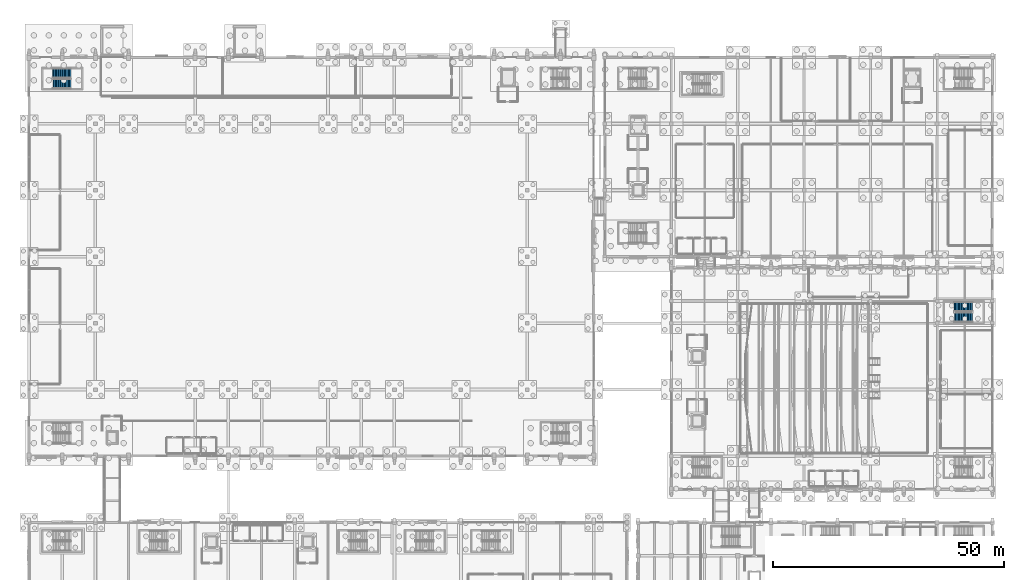
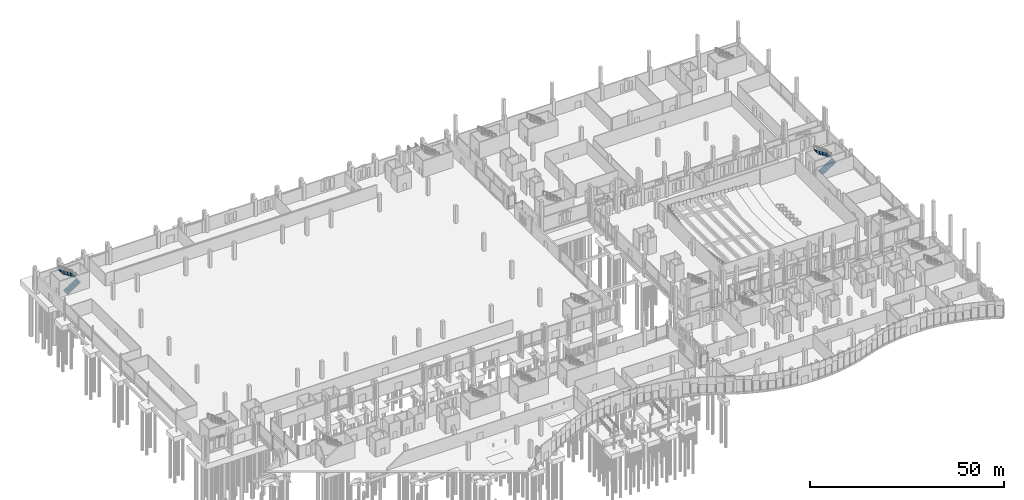
# One storey, part 166 of 192: 4 stair flights, 2 elements without a shape of their own.
"""IFC4 building model written with IfcOpenShell, lengths in metres."""

from ifc_helpers import new_model, si_unit, direction, frame, origin, place, context, subcontext, project, spatial, triangles, material, type_object, element, aggregate, save


model = new_model("IFC4")

# Units and contexts
model_context = context("Model", 3, precision=1e-05, world=origin(), true_north=direction((0.0, 1.0)))
body_context = subcontext(model_context, "Body", "Model", "MODEL_VIEW")
ifc_project = project(units=[si_unit("LENGTHUNIT", "METRE"), si_unit("AREAUNIT", "SQUARE_METRE"), si_unit("VOLUMEUNIT", "CUBIC_METRE"), si_unit("PLANEANGLEUNIT", "RADIAN"), si_unit("MASSUNIT", "GRAM", prefix="KILO")], contexts=[model_context])

# Site, building, storey
site_placement = place(None, origin())
site = spatial("IfcSite", under=ifc_project, at=site_placement, CompositionType="ELEMENT")
building_placement = place(site_placement, origin())
building = spatial("IfcBuilding", under=site, at=building_placement, Name="Cendralis Lancet Convention Centre", CompositionType="ELEMENT")
storey_placement = place(building_placement, origin())
storey = spatial("IfcBuildingStorey", under=building, at=storey_placement, Name="L00", CompositionType="ELEMENT", Elevation=0.0)

# Stair, stair flights
ifc_material = material(Name="Concrete G35 (C35/45)", Category="concrete")
stair_type = type_object("IfcStairType", Name="ARC-ST-CORE", PredefinedType="HALF_TURN_STAIR", material=ifc_material)
stair_1_placement = place(storey_placement, origin())
stair_1 = element("IfcStair", 1, at=stair_1_placement, inside=storey, type_object=stair_type, Name="L00 Protected Exit Stair ST-02", PredefinedType="HALF_TURN_STAIR")
stair_flight_type = type_object("IfcStairFlightType", Name="ARC-SF-CORE", PredefinedType="STRAIGHT", material=ifc_material)
stair_flight_1_placement = place(storey_placement, frame((5.14990234375, 131.050048828125, 0.0), z_axis=(0.0, 0.0, 1.0), x_axis=(1.0, 0.0, 0.0)))
stair_flight_1 = element("IfcStairFlight", 2, at=stair_flight_1_placement, type_object=stair_flight_type, Name="ST-02 flight 1", NumberOfRisers=15, NumberOfTreads=14, PredefinedType="STRAIGHT", RiserHeight=0.18, TreadLength=0.28, context=body_context, shape_type="Tessellation", body=[
    triangles([(0.0, 0.0, 0.09), (0.0, 1.050049, 0.0), (0.0, -1.050049, 0.0), (0.0, -1.050049, 0.18), (0.0, 1.050049, 0.18), (0.138604, 0.0, 0.18), (0.277208, -1.050049, 0.18), (0.277208, 1.050049, 0.18), (0.138604, 0.0, 0.0), (0.277208, -1.050049, 0.0), (0.277208, 1.050049, 0.0), (0.278604, 0.0, 0.18), (0.28, -1.050049, 0.18), (0.28, 1.050049, 0.18), (0.278604, 0.0, 0.000897), (0.28, -1.050049, 0.001795), (0.28, 1.050049, 0.001795), (0.28, 0.0, 0.27), (0.28, -1.050049, 0.36), (0.28, 1.050049, 0.36), (0.42, 0.0, 0.36), (0.56, -1.050049, 0.36), (0.56, 1.050049, 0.36), (0.42, 0.0, 0.091795), (0.56, -1.050049, 0.181795), (0.56, 1.050049, 0.181795), (0.56, 0.0, 0.45), (0.56, -1.050049, 0.54), (0.56, 1.050049, 0.54), (0.7, 0.0, 0.54), (0.84, -1.050049, 0.54), (0.84, 1.050049, 0.54), (0.7, 0.0, 0.271795), (0.84, -1.050049, 0.361795), (0.84, 1.050049, 0.361795), (0.84, 0.0, 0.63), (0.84, -1.050049, 0.72), (0.84, 1.050049, 0.72), (0.98, 0.0, 0.72), (1.12, -1.050049, 0.72), (1.12, 1.050049, 0.72), (0.98, 0.0, 0.451795), (1.12, -1.050049, 0.541795), (1.12, 1.050049, 0.541795), (1.12, 0.0, 0.81), (1.12, -1.050049, 0.9), (1.12, 1.050049, 0.9), (1.26, 0.0, 0.9), (1.4, -1.050049, 0.9), (1.4, 1.050049, 0.9), (1.26, 0.0, 0.631795), (1.4, -1.050049, 0.721795), (1.4, 1.050049, 0.721795), (1.4, 0.0, 0.99), (1.4, -1.050049, 1.08), (1.4, 1.050049, 1.08), (1.54, 0.0, 1.08), (1.68, -1.050049, 1.08), (1.68, 1.050049, 1.08), (1.54, 0.0, 0.811795), (1.68, -1.050049, 0.901795), (1.68, 1.050049, 0.901795), (1.68, 0.0, 1.17), (1.68, -1.050049, 1.26), (1.68, 1.050049, 1.26), (1.82, 0.0, 1.26), (1.96, -1.050049, 1.26), (1.96, 1.050049, 1.26), (1.82, 0.0, 0.991795), (1.96, -1.050049, 1.081795), (1.96, 1.050049, 1.081795), (1.96, 0.0, 1.35), (1.96, -1.050049, 1.44), (1.96, 1.050049, 1.44), (2.1, 0.0, 1.44), (2.24, -1.050049, 1.44), (2.24, 1.050049, 1.44), (2.1, 0.0, 1.171795), (2.24, -1.050049, 1.261795), (2.24, 1.050049, 1.261795), (2.24, 0.0, 1.53), (2.24, -1.050049, 1.62), (2.24, 1.050049, 1.62), (2.38, 0.0, 1.62), (2.52, -1.050049, 1.62), (2.52, 1.050049, 1.62), (2.38, 0.0, 1.351795), (2.52, -1.050049, 1.441795), (2.52, 1.050049, 1.441795), (2.52, 0.0, 1.71), (2.52, -1.050049, 1.8), (2.52, 1.050049, 1.8), (2.66, 0.0, 1.8), (2.8, -1.050049, 1.8), (2.8, 1.050049, 1.8), (2.66, 0.0, 1.531795), (2.8, -1.050049, 1.621795), (2.8, 1.050049, 1.621795), (2.8, 0.0, 1.89), (2.8, -1.050049, 1.98), (2.8, 1.050049, 1.98), (2.94, 0.0, 1.98), (3.08, -1.050049, 1.98), (3.08, 1.050049, 1.98), (2.94, 0.0, 1.711795), (3.08, -1.050049, 1.801795), (3.08, 1.050049, 1.801795), (3.08, 0.0, 2.07), (3.08, -1.050049, 2.16), (3.08, 1.050049, 2.16), (3.22, 0.0, 2.16), (3.36, -1.050049, 2.16), (3.36, 1.050049, 2.16), (3.22, 0.0, 1.891795), (3.36, -1.050049, 1.981795), (3.36, 1.050049, 1.981795), (3.36, 0.0, 2.25), (3.36, -1.050049, 2.34), (3.36, 1.050049, 2.34), (3.5, 0.0, 2.34), (3.64, -1.050049, 2.34), (3.64, 1.050049, 2.34), (3.5, 0.0, 2.071795), (3.64, -1.050049, 2.161795), (3.64, 1.050049, 2.161795), (3.64, 0.0, 2.43), (3.64, -1.050049, 2.52), (3.64, 1.050049, 2.52), (3.78, 0.0, 2.52), (3.92, -1.050049, 2.52), (3.92, 1.050049, 2.52), (3.78, 0.0, 2.251795), (3.92, -1.050049, 2.341795), (3.92, 1.050049, 2.341795), (3.92, 0.0, 2.61), (3.92, -1.050049, 2.7), (3.92, 1.050049, 2.7), (3.94, 0.0, 2.7), (3.96, -1.050049, 2.7), (3.96, 1.050049, 2.7), (3.94, 0.0, 2.341795), (3.96, -1.050049, 2.341795), (3.96, 1.050049, 2.341795), (3.96, 0.0, 2.520898)], [[2, 3, 1], [3, 4, 1], [4, 5, 1], [5, 2, 1], [4, 7, 6], [7, 8, 6], [8, 5, 6], [5, 4, 6], [10, 3, 9], [3, 2, 9], [2, 11, 9], [11, 10, 9], [3, 10, 7], [3, 7, 4], [2, 8, 11], [2, 5, 8], [7, 13, 12], [13, 14, 12], [14, 8, 12], [8, 7, 12], [16, 10, 15], [10, 11, 15], [11, 17, 15], [17, 16, 15], [10, 16, 13], [10, 13, 7], [11, 14, 17], [11, 8, 14], [14, 13, 18], [13, 19, 18], [19, 20, 18], [20, 14, 18], [19, 22, 21], [22, 23, 21], [23, 20, 21], [20, 19, 21], [25, 16, 24], [16, 17, 24], [17, 26, 24], [26, 25, 24], [16, 25, 22], [16, 22, 13], [13, 22, 19], [17, 23, 26], [17, 14, 23], [14, 20, 23], [23, 22, 27], [22, 28, 27], [28, 29, 27], [29, 23, 27], [28, 31, 30], [31, 32, 30], [32, 29, 30], [29, 28, 30], [34, 25, 33], [25, 26, 33], [26, 35, 33], [35, 34, 33], [25, 34, 31], [25, 31, 22], [22, 31, 28], [26, 32, 35], [26, 23, 32], [23, 29, 32], [32, 31, 36], [31, 37, 36], [37, 38, 36], [38, 32, 36], [37, 40, 39], [40, 41, 39], [41, 38, 39], [38, 37, 39], [43, 34, 42], [34, 35, 42], [35, 44, 42], [44, 43, 42], [34, 43, 40], [34, 40, 31], [31, 40, 37], [35, 41, 44], [35, 32, 41], [32, 38, 41], [41, 40, 45], [40, 46, 45], [46, 47, 45], [47, 41, 45], [46, 49, 48], [49, 50, 48], [50, 47, 48], [47, 46, 48], [52, 43, 51], [43, 44, 51], [44, 53, 51], [53, 52, 51], [43, 52, 49], [43, 49, 40], [40, 49, 46], [44, 50, 53], [44, 41, 50], [41, 47, 50], [50, 49, 54], [49, 55, 54], [55, 56, 54], [56, 50, 54], [55, 58, 57], [58, 59, 57], [59, 56, 57], [56, 55, 57], [61, 52, 60], [52, 53, 60], [53, 62, 60], [62, 61, 60], [52, 61, 58], [52, 58, 49], [49, 58, 55], [53, 59, 62], [53, 50, 59], [50, 56, 59], [59, 58, 63], [58, 64, 63], [64, 65, 63], [65, 59, 63], [64, 67, 66], [67, 68, 66], [68, 65, 66], [65, 64, 66], [70, 61, 69], [61, 62, 69], [62, 71, 69], [71, 70, 69], [61, 70, 67], [61, 67, 58], [58, 67, 64], [62, 68, 71], [62, 59, 68], [59, 65, 68], [68, 67, 72], [67, 73, 72], [73, 74, 72], [74, 68, 72], [73, 76, 75], [76, 77, 75], [77, 74, 75], [74, 73, 75], [79, 70, 78], [70, 71, 78], [71, 80, 78], [80, 79, 78], [70, 79, 76], [70, 76, 67], [67, 76, 73], [71, 77, 80], [71, 68, 77], [68, 74, 77], [77, 76, 81], [76, 82, 81], [82, 83, 81], [83, 77, 81], [82, 85, 84], [85, 86, 84], [86, 83, 84], [83, 82, 84], [88, 79, 87], [79, 80, 87], [80, 89, 87], [89, 88, 87], [79, 88, 85], [79, 85, 76], [76, 85, 82], [80, 86, 89], [80, 77, 86], [77, 83, 86], [86, 85, 90], [85, 91, 90], [91, 92, 90], [92, 86, 90], [91, 94, 93], [94, 95, 93], [95, 92, 93], [92, 91, 93], [97, 88, 96], [88, 89, 96], [89, 98, 96], [98, 97, 96], [88, 97, 94], [88, 94, 85], [85, 94, 91], [89, 95, 98], [89, 86, 95], [86, 92, 95], [95, 94, 99], [94, 100, 99], [100, 101, 99], [101, 95, 99], [100, 103, 102], [103, 104, 102], [104, 101, 102], [101, 100, 102], [106, 97, 105], [97, 98, 105], [98, 107, 105], [107, 106, 105], [97, 106, 103], [97, 103, 94], [94, 103, 100], [98, 104, 107], [98, 95, 104], [95, 101, 104], [104, 103, 108], [103, 109, 108], [109, 110, 108], [110, 104, 108], [109, 112, 111], [112, 113, 111], [113, 110, 111], [110, 109, 111], [115, 106, 114], [106, 107, 114], [107, 116, 114], [116, 115, 114], [106, 115, 112], [106, 112, 103], [103, 112, 109], [107, 113, 116], [107, 104, 113], [104, 110, 113], [113, 112, 117], [112, 118, 117], [118, 119, 117], [119, 113, 117], [118, 121, 120], [121, 122, 120], [122, 119, 120], [119, 118, 120], [124, 115, 123], [115, 116, 123], [116, 125, 123], [125, 124, 123], [115, 124, 121], [115, 121, 112], [112, 121, 118], [116, 122, 125], [116, 113, 122], [113, 119, 122], [122, 121, 126], [121, 127, 126], [127, 128, 126], [128, 122, 126], [127, 130, 129], [130, 131, 129], [131, 128, 129], [128, 127, 129], [133, 124, 132], [124, 125, 132], [125, 134, 132], [134, 133, 132], [124, 133, 130], [124, 130, 121], [121, 130, 127], [125, 131, 134], [125, 122, 131], [122, 128, 131], [131, 130, 135], [130, 136, 135], [136, 137, 135], [137, 131, 135], [136, 139, 138], [139, 140, 138], [140, 137, 138], [137, 136, 138], [142, 133, 141], [133, 134, 141], [134, 143, 141], [143, 142, 141], [133, 142, 139], [133, 139, 130], [130, 139, 136], [134, 140, 143], [134, 131, 140], [131, 137, 140], [142, 143, 144], [143, 140, 144], [140, 139, 144], [139, 142, 144]], closed=True),
])
stair_flight_2_placement = place(storey_placement, frame((9.070068359375, 133.330078125, 2.699951171875), z_axis=(0.0, 0.0, 1.0), x_axis=(-1.0, 0.0, 0.0)))
stair_flight_2 = element("IfcStairFlight", 3, at=stair_flight_2_placement, type_object=stair_flight_type, Name="ST-02 flight 2", NumberOfRisers=15, NumberOfTreads=14, PredefinedType="STRAIGHT", RiserHeight=0.18, TreadLength=0.28, context=body_context, shape_type="Tessellation", body=[
    triangles([(0.0, 0.0, 0.09), (0.0, 1.050049, 0.0), (0.0, -1.050049, 0.0), (0.0, -1.050049, 0.18), (0.0, 1.050049, 0.18), (0.138604, 0.0, 0.18), (0.277208, -1.050049, 0.18), (0.277208, 1.050049, 0.18), (0.138604, 0.0, 0.0), (0.277208, -1.050049, 0.0), (0.277208, 1.050049, 0.0), (0.278604, 0.0, 0.18), (0.28, -1.050049, 0.18), (0.28, 1.050049, 0.18), (0.278604, 0.0, 0.000897), (0.28, -1.050049, 0.001795), (0.28, 1.050049, 0.001795), (0.28, 0.0, 0.27), (0.28, -1.050049, 0.36), (0.28, 1.050049, 0.36), (0.42, 0.0, 0.36), (0.56, -1.050049, 0.36), (0.56, 1.050049, 0.36), (0.42, 0.0, 0.091795), (0.56, -1.050049, 0.181795), (0.56, 1.050049, 0.181795), (0.56, 0.0, 0.45), (0.56, -1.050049, 0.54), (0.56, 1.050049, 0.54), (0.7, 0.0, 0.54), (0.84, -1.050049, 0.54), (0.84, 1.050049, 0.54), (0.7, 0.0, 0.271795), (0.84, -1.050049, 0.361795), (0.84, 1.050049, 0.361795), (0.84, 0.0, 0.63), (0.84, -1.050049, 0.72), (0.84, 1.050049, 0.72), (0.98, 0.0, 0.72), (1.12, -1.050049, 0.72), (1.12, 1.050049, 0.72), (0.98, 0.0, 0.451795), (1.12, -1.050049, 0.541795), (1.12, 1.050049, 0.541795), (1.12, 0.0, 0.81), (1.12, -1.050049, 0.9), (1.12, 1.050049, 0.9), (1.26, 0.0, 0.9), (1.4, -1.050049, 0.9), (1.4, 1.050049, 0.9), (1.26, 0.0, 0.631795), (1.4, -1.050049, 0.721795), (1.4, 1.050049, 0.721795), (1.4, 0.0, 0.99), (1.4, -1.050049, 1.08), (1.4, 1.050049, 1.08), (1.54, 0.0, 1.08), (1.68, -1.050049, 1.08), (1.68, 1.050049, 1.08), (1.54, 0.0, 0.811795), (1.68, -1.050049, 0.901795), (1.68, 1.050049, 0.901795), (1.68, 0.0, 1.17), (1.68, -1.050049, 1.26), (1.68, 1.050049, 1.26), (1.82, 0.0, 1.26), (1.96, -1.050049, 1.26), (1.96, 1.050049, 1.26), (1.82, 0.0, 0.991795), (1.96, -1.050049, 1.081795), (1.96, 1.050049, 1.081795), (1.96, 0.0, 1.35), (1.96, -1.050049, 1.44), (1.96, 1.050049, 1.44), (2.1, 0.0, 1.44), (2.24, -1.050049, 1.44), (2.24, 1.050049, 1.44), (2.1, 0.0, 1.171795), (2.24, -1.050049, 1.261795), (2.24, 1.050049, 1.261795), (2.24, 0.0, 1.53), (2.24, -1.050049, 1.62), (2.24, 1.050049, 1.62), (2.38, 0.0, 1.62), (2.52, -1.050049, 1.62), (2.52, 1.050049, 1.62), (2.38, 0.0, 1.351795), (2.52, -1.050049, 1.441795), (2.52, 1.050049, 1.441795), (2.52, 0.0, 1.71), (2.52, -1.050049, 1.8), (2.52, 1.050049, 1.8), (2.66, 0.0, 1.8), (2.8, -1.050049, 1.8), (2.8, 1.050049, 1.8), (2.66, 0.0, 1.531795), (2.8, -1.050049, 1.621795), (2.8, 1.050049, 1.621795), (2.8, 0.0, 1.89), (2.8, -1.050049, 1.98), (2.8, 1.050049, 1.98), (2.94, 0.0, 1.98), (3.08, -1.050049, 1.98), (3.08, 1.050049, 1.98), (2.94, 0.0, 1.711795), (3.08, -1.050049, 1.801795), (3.08, 1.050049, 1.801795), (3.08, 0.0, 2.07), (3.08, -1.050049, 2.16), (3.08, 1.050049, 2.16), (3.22, 0.0, 2.16), (3.36, -1.050049, 2.16), (3.36, 1.050049, 2.16), (3.22, 0.0, 1.891795), (3.36, -1.050049, 1.981795), (3.36, 1.050049, 1.981795), (3.36, 0.0, 2.25), (3.36, -1.050049, 2.34), (3.36, 1.050049, 2.34), (3.5, 0.0, 2.34), (3.64, -1.050049, 2.34), (3.64, 1.050049, 2.34), (3.5, 0.0, 2.071795), (3.64, -1.050049, 2.161795), (3.64, 1.050049, 2.161795), (3.64, 0.0, 2.43), (3.64, -1.050049, 2.52), (3.64, 1.050049, 2.52), (3.78, 0.0, 2.52), (3.92, -1.050049, 2.52), (3.92, 1.050049, 2.52), (3.78, 0.0, 2.251795), (3.92, -1.050049, 2.341795), (3.92, 1.050049, 2.341795), (3.92, 0.0, 2.61), (3.92, -1.050049, 2.7), (3.92, 1.050049, 2.7), (3.94, 0.0, 2.7), (3.96, -1.050049, 2.7), (3.96, 1.050049, 2.7), (3.94, 0.0, 2.341795), (3.96, -1.050049, 2.341795), (3.96, 1.050049, 2.341795), (3.96, 0.0, 2.520898)], [[2, 3, 1], [3, 4, 1], [4, 5, 1], [5, 2, 1], [4, 7, 6], [7, 8, 6], [8, 5, 6], [5, 4, 6], [10, 3, 9], [3, 2, 9], [2, 11, 9], [11, 10, 9], [3, 10, 7], [3, 7, 4], [2, 8, 11], [2, 5, 8], [7, 13, 12], [13, 14, 12], [14, 8, 12], [8, 7, 12], [16, 10, 15], [10, 11, 15], [11, 17, 15], [17, 16, 15], [10, 16, 13], [10, 13, 7], [11, 14, 17], [11, 8, 14], [14, 13, 18], [13, 19, 18], [19, 20, 18], [20, 14, 18], [19, 22, 21], [22, 23, 21], [23, 20, 21], [20, 19, 21], [25, 16, 24], [16, 17, 24], [17, 26, 24], [26, 25, 24], [16, 25, 22], [16, 22, 13], [13, 22, 19], [17, 23, 26], [17, 14, 23], [14, 20, 23], [23, 22, 27], [22, 28, 27], [28, 29, 27], [29, 23, 27], [28, 31, 30], [31, 32, 30], [32, 29, 30], [29, 28, 30], [34, 25, 33], [25, 26, 33], [26, 35, 33], [35, 34, 33], [25, 34, 31], [25, 31, 22], [22, 31, 28], [26, 32, 35], [26, 23, 32], [23, 29, 32], [32, 31, 36], [31, 37, 36], [37, 38, 36], [38, 32, 36], [37, 40, 39], [40, 41, 39], [41, 38, 39], [38, 37, 39], [43, 34, 42], [34, 35, 42], [35, 44, 42], [44, 43, 42], [34, 43, 40], [34, 40, 31], [31, 40, 37], [35, 41, 44], [35, 32, 41], [32, 38, 41], [41, 40, 45], [40, 46, 45], [46, 47, 45], [47, 41, 45], [46, 49, 48], [49, 50, 48], [50, 47, 48], [47, 46, 48], [52, 43, 51], [43, 44, 51], [44, 53, 51], [53, 52, 51], [43, 52, 49], [43, 49, 40], [40, 49, 46], [44, 50, 53], [44, 41, 50], [41, 47, 50], [50, 49, 54], [49, 55, 54], [55, 56, 54], [56, 50, 54], [55, 58, 57], [58, 59, 57], [59, 56, 57], [56, 55, 57], [61, 52, 60], [52, 53, 60], [53, 62, 60], [62, 61, 60], [52, 61, 58], [52, 58, 49], [49, 58, 55], [53, 59, 62], [53, 50, 59], [50, 56, 59], [59, 58, 63], [58, 64, 63], [64, 65, 63], [65, 59, 63], [64, 67, 66], [67, 68, 66], [68, 65, 66], [65, 64, 66], [70, 61, 69], [61, 62, 69], [62, 71, 69], [71, 70, 69], [61, 70, 67], [61, 67, 58], [58, 67, 64], [62, 68, 71], [62, 59, 68], [59, 65, 68], [68, 67, 72], [67, 73, 72], [73, 74, 72], [74, 68, 72], [73, 76, 75], [76, 77, 75], [77, 74, 75], [74, 73, 75], [79, 70, 78], [70, 71, 78], [71, 80, 78], [80, 79, 78], [70, 79, 76], [70, 76, 67], [67, 76, 73], [71, 77, 80], [71, 68, 77], [68, 74, 77], [77, 76, 81], [76, 82, 81], [82, 83, 81], [83, 77, 81], [82, 85, 84], [85, 86, 84], [86, 83, 84], [83, 82, 84], [88, 79, 87], [79, 80, 87], [80, 89, 87], [89, 88, 87], [79, 88, 85], [79, 85, 76], [76, 85, 82], [80, 86, 89], [80, 77, 86], [77, 83, 86], [86, 85, 90], [85, 91, 90], [91, 92, 90], [92, 86, 90], [91, 94, 93], [94, 95, 93], [95, 92, 93], [92, 91, 93], [97, 88, 96], [88, 89, 96], [89, 98, 96], [98, 97, 96], [88, 97, 94], [88, 94, 85], [85, 94, 91], [89, 95, 98], [89, 86, 95], [86, 92, 95], [95, 94, 99], [94, 100, 99], [100, 101, 99], [101, 95, 99], [100, 103, 102], [103, 104, 102], [104, 101, 102], [101, 100, 102], [106, 97, 105], [97, 98, 105], [98, 107, 105], [107, 106, 105], [97, 106, 103], [97, 103, 94], [94, 103, 100], [98, 104, 107], [98, 95, 104], [95, 101, 104], [104, 103, 108], [103, 109, 108], [109, 110, 108], [110, 104, 108], [109, 112, 111], [112, 113, 111], [113, 110, 111], [110, 109, 111], [115, 106, 114], [106, 107, 114], [107, 116, 114], [116, 115, 114], [106, 115, 112], [106, 112, 103], [103, 112, 109], [107, 113, 116], [107, 104, 113], [104, 110, 113], [113, 112, 117], [112, 118, 117], [118, 119, 117], [119, 113, 117], [118, 121, 120], [121, 122, 120], [122, 119, 120], [119, 118, 120], [124, 115, 123], [115, 116, 123], [116, 125, 123], [125, 124, 123], [115, 124, 121], [115, 121, 112], [112, 121, 118], [116, 122, 125], [116, 113, 122], [113, 119, 122], [122, 121, 126], [121, 127, 126], [127, 128, 126], [128, 122, 126], [127, 130, 129], [130, 131, 129], [131, 128, 129], [128, 127, 129], [133, 124, 132], [124, 125, 132], [125, 134, 132], [134, 133, 132], [124, 133, 130], [124, 130, 121], [121, 130, 127], [125, 131, 134], [125, 122, 131], [122, 128, 131], [131, 130, 135], [130, 136, 135], [136, 137, 135], [137, 131, 135], [136, 139, 138], [139, 140, 138], [140, 137, 138], [137, 136, 138], [142, 133, 141], [133, 134, 141], [134, 143, 141], [143, 142, 141], [133, 142, 139], [133, 139, 130], [130, 139, 136], [134, 140, 143], [134, 131, 140], [131, 137, 140], [142, 143, 144], [143, 140, 144], [140, 139, 144], [139, 142, 144]], closed=True),
])
aggregate(stair_1, [stair_flight_1, stair_flight_2])

stair_2_placement = place(storey_placement, origin())
stair_2 = element("IfcStair", 4, at=stair_2_placement, inside=storey, type_object=stair_type, Name="L00 Protected Exit Stair ST-10", PredefinedType="HALF_TURN_STAIR")
stair_flight_3_placement = place(storey_placement, frame((200.550048828125, 80.449951171875, 0.0), z_axis=(0.0, 0.0, 1.0), x_axis=(1.0, 0.0, 0.0)))
stair_flight_3 = element("IfcStairFlight", 5, at=stair_flight_3_placement, type_object=stair_flight_type, Name="ST-10 flight 1", NumberOfRisers=15, NumberOfTreads=14, PredefinedType="STRAIGHT", RiserHeight=0.18, TreadLength=0.28, context=body_context, shape_type="Tessellation", body=[
    triangles([(0.0, 0.0, 0.09), (0.0, 1.050049, 0.0), (0.0, -1.050049, 0.0), (0.0, -1.050049, 0.18), (0.0, 1.050049, 0.18), (0.138604, 0.0, 0.18), (0.277208, -1.050049, 0.18), (0.277208, 1.050049, 0.18), (0.138604, 0.0, 0.0), (0.277208, -1.050049, 0.0), (0.277208, 1.050049, 0.0), (0.278604, 0.0, 0.18), (0.28, -1.050049, 0.18), (0.28, 1.050049, 0.18), (0.278604, 0.0, 0.000897), (0.28, -1.050049, 0.001795), (0.28, 1.050049, 0.001795), (0.28, 0.0, 0.27), (0.28, -1.050049, 0.36), (0.28, 1.050049, 0.36), (0.42, 0.0, 0.36), (0.56, -1.050049, 0.36), (0.56, 1.050049, 0.36), (0.42, 0.0, 0.091795), (0.56, -1.050049, 0.181795), (0.56, 1.050049, 0.181795), (0.56, 0.0, 0.45), (0.56, -1.050049, 0.54), (0.56, 1.050049, 0.54), (0.7, 0.0, 0.54), (0.84, -1.050049, 0.54), (0.84, 1.050049, 0.54), (0.7, 0.0, 0.271795), (0.84, -1.050049, 0.361795), (0.84, 1.050049, 0.361795), (0.84, 0.0, 0.63), (0.84, -1.050049, 0.72), (0.84, 1.050049, 0.72), (0.98, 0.0, 0.72), (1.12, -1.050049, 0.72), (1.12, 1.050049, 0.72), (0.98, 0.0, 0.451795), (1.12, -1.050049, 0.541795), (1.12, 1.050049, 0.541795), (1.12, 0.0, 0.81), (1.12, -1.050049, 0.9), (1.12, 1.050049, 0.9), (1.26, 0.0, 0.9), (1.4, -1.050049, 0.9), (1.4, 1.050049, 0.9), (1.26, 0.0, 0.631795), (1.4, -1.050049, 0.721795), (1.4, 1.050049, 0.721795), (1.4, 0.0, 0.99), (1.4, -1.050049, 1.08), (1.4, 1.050049, 1.08), (1.54, 0.0, 1.08), (1.68, -1.050049, 1.08), (1.68, 1.050049, 1.08), (1.54, 0.0, 0.811795), (1.68, -1.050049, 0.901795), (1.68, 1.050049, 0.901795), (1.68, 0.0, 1.17), (1.68, -1.050049, 1.26), (1.68, 1.050049, 1.26), (1.82, 0.0, 1.26), (1.96, -1.050049, 1.26), (1.96, 1.050049, 1.26), (1.82, 0.0, 0.991795), (1.96, -1.050049, 1.081795), (1.96, 1.050049, 1.081795), (1.96, 0.0, 1.35), (1.96, -1.050049, 1.44), (1.96, 1.050049, 1.44), (2.1, 0.0, 1.44), (2.24, -1.050049, 1.44), (2.24, 1.050049, 1.44), (2.1, 0.0, 1.171795), (2.24, -1.050049, 1.261795), (2.24, 1.050049, 1.261795), (2.24, 0.0, 1.53), (2.24, -1.050049, 1.62), (2.24, 1.050049, 1.62), (2.38, 0.0, 1.62), (2.52, -1.050049, 1.62), (2.52, 1.050049, 1.62), (2.38, 0.0, 1.351795), (2.52, -1.050049, 1.441795), (2.52, 1.050049, 1.441795), (2.52, 0.0, 1.71), (2.52, -1.050049, 1.8), (2.52, 1.050049, 1.8), (2.66, 0.0, 1.8), (2.8, -1.050049, 1.8), (2.8, 1.050049, 1.8), (2.66, 0.0, 1.531795), (2.8, -1.050049, 1.621795), (2.8, 1.050049, 1.621795), (2.8, 0.0, 1.89), (2.8, -1.050049, 1.98), (2.8, 1.050049, 1.98), (2.94, 0.0, 1.98), (3.08, -1.050049, 1.98), (3.08, 1.050049, 1.98), (2.94, 0.0, 1.711795), (3.08, -1.050049, 1.801795), (3.08, 1.050049, 1.801795), (3.08, 0.0, 2.07), (3.08, -1.050049, 2.16), (3.08, 1.050049, 2.16), (3.22, 0.0, 2.16), (3.36, -1.050049, 2.16), (3.36, 1.050049, 2.16), (3.22, 0.0, 1.891795), (3.36, -1.050049, 1.981795), (3.36, 1.050049, 1.981795), (3.36, 0.0, 2.25), (3.36, -1.050049, 2.34), (3.36, 1.050049, 2.34), (3.5, 0.0, 2.34), (3.64, -1.050049, 2.34), (3.64, 1.050049, 2.34), (3.5, 0.0, 2.071795), (3.64, -1.050049, 2.161795), (3.64, 1.050049, 2.161795), (3.64, 0.0, 2.43), (3.64, -1.050049, 2.52), (3.64, 1.050049, 2.52), (3.78, 0.0, 2.52), (3.92, -1.050049, 2.52), (3.92, 1.050049, 2.52), (3.78, 0.0, 2.251795), (3.92, -1.050049, 2.341795), (3.92, 1.050049, 2.341795), (3.92, 0.0, 2.61), (3.92, -1.050049, 2.7), (3.92, 1.050049, 2.7), (3.94, 0.0, 2.7), (3.96, -1.050049, 2.7), (3.96, 1.050049, 2.7), (3.94, 0.0, 2.341795), (3.96, -1.050049, 2.341795), (3.96, 1.050049, 2.341795), (3.96, 0.0, 2.520898)], [[2, 3, 1], [3, 4, 1], [4, 5, 1], [5, 2, 1], [4, 7, 6], [7, 8, 6], [8, 5, 6], [5, 4, 6], [10, 3, 9], [3, 2, 9], [2, 11, 9], [11, 10, 9], [3, 10, 7], [3, 7, 4], [2, 8, 11], [2, 5, 8], [7, 13, 12], [13, 14, 12], [14, 8, 12], [8, 7, 12], [16, 10, 15], [10, 11, 15], [11, 17, 15], [17, 16, 15], [10, 16, 13], [10, 13, 7], [11, 14, 17], [11, 8, 14], [14, 13, 18], [13, 19, 18], [19, 20, 18], [20, 14, 18], [19, 22, 21], [22, 23, 21], [23, 20, 21], [20, 19, 21], [25, 16, 24], [16, 17, 24], [17, 26, 24], [26, 25, 24], [16, 25, 22], [16, 22, 13], [13, 22, 19], [17, 23, 26], [17, 14, 23], [14, 20, 23], [23, 22, 27], [22, 28, 27], [28, 29, 27], [29, 23, 27], [28, 31, 30], [31, 32, 30], [32, 29, 30], [29, 28, 30], [34, 25, 33], [25, 26, 33], [26, 35, 33], [35, 34, 33], [25, 34, 31], [25, 31, 22], [22, 31, 28], [26, 32, 35], [26, 23, 32], [23, 29, 32], [32, 31, 36], [31, 37, 36], [37, 38, 36], [38, 32, 36], [37, 40, 39], [40, 41, 39], [41, 38, 39], [38, 37, 39], [43, 34, 42], [34, 35, 42], [35, 44, 42], [44, 43, 42], [34, 43, 40], [34, 40, 31], [31, 40, 37], [35, 41, 44], [35, 32, 41], [32, 38, 41], [41, 40, 45], [40, 46, 45], [46, 47, 45], [47, 41, 45], [46, 49, 48], [49, 50, 48], [50, 47, 48], [47, 46, 48], [52, 43, 51], [43, 44, 51], [44, 53, 51], [53, 52, 51], [43, 52, 49], [43, 49, 40], [40, 49, 46], [44, 50, 53], [44, 41, 50], [41, 47, 50], [50, 49, 54], [49, 55, 54], [55, 56, 54], [56, 50, 54], [55, 58, 57], [58, 59, 57], [59, 56, 57], [56, 55, 57], [61, 52, 60], [52, 53, 60], [53, 62, 60], [62, 61, 60], [52, 61, 58], [52, 58, 49], [49, 58, 55], [53, 59, 62], [53, 50, 59], [50, 56, 59], [59, 58, 63], [58, 64, 63], [64, 65, 63], [65, 59, 63], [64, 67, 66], [67, 68, 66], [68, 65, 66], [65, 64, 66], [70, 61, 69], [61, 62, 69], [62, 71, 69], [71, 70, 69], [61, 70, 67], [61, 67, 58], [58, 67, 64], [62, 68, 71], [62, 59, 68], [59, 65, 68], [68, 67, 72], [67, 73, 72], [73, 74, 72], [74, 68, 72], [73, 76, 75], [76, 77, 75], [77, 74, 75], [74, 73, 75], [79, 70, 78], [70, 71, 78], [71, 80, 78], [80, 79, 78], [70, 79, 76], [70, 76, 67], [67, 76, 73], [71, 77, 80], [71, 68, 77], [68, 74, 77], [77, 76, 81], [76, 82, 81], [82, 83, 81], [83, 77, 81], [82, 85, 84], [85, 86, 84], [86, 83, 84], [83, 82, 84], [88, 79, 87], [79, 80, 87], [80, 89, 87], [89, 88, 87], [79, 88, 85], [79, 85, 76], [76, 85, 82], [80, 86, 89], [80, 77, 86], [77, 83, 86], [86, 85, 90], [85, 91, 90], [91, 92, 90], [92, 86, 90], [91, 94, 93], [94, 95, 93], [95, 92, 93], [92, 91, 93], [97, 88, 96], [88, 89, 96], [89, 98, 96], [98, 97, 96], [88, 97, 94], [88, 94, 85], [85, 94, 91], [89, 95, 98], [89, 86, 95], [86, 92, 95], [95, 94, 99], [94, 100, 99], [100, 101, 99], [101, 95, 99], [100, 103, 102], [103, 104, 102], [104, 101, 102], [101, 100, 102], [106, 97, 105], [97, 98, 105], [98, 107, 105], [107, 106, 105], [97, 106, 103], [97, 103, 94], [94, 103, 100], [98, 104, 107], [98, 95, 104], [95, 101, 104], [104, 103, 108], [103, 109, 108], [109, 110, 108], [110, 104, 108], [109, 112, 111], [112, 113, 111], [113, 110, 111], [110, 109, 111], [115, 106, 114], [106, 107, 114], [107, 116, 114], [116, 115, 114], [106, 115, 112], [106, 112, 103], [103, 112, 109], [107, 113, 116], [107, 104, 113], [104, 110, 113], [113, 112, 117], [112, 118, 117], [118, 119, 117], [119, 113, 117], [118, 121, 120], [121, 122, 120], [122, 119, 120], [119, 118, 120], [124, 115, 123], [115, 116, 123], [116, 125, 123], [125, 124, 123], [115, 124, 121], [115, 121, 112], [112, 121, 118], [116, 122, 125], [116, 113, 122], [113, 119, 122], [122, 121, 126], [121, 127, 126], [127, 128, 126], [128, 122, 126], [127, 130, 129], [130, 131, 129], [131, 128, 129], [128, 127, 129], [133, 124, 132], [124, 125, 132], [125, 134, 132], [134, 133, 132], [124, 133, 130], [124, 130, 121], [121, 130, 127], [125, 131, 134], [125, 122, 131], [122, 128, 131], [131, 130, 135], [130, 136, 135], [136, 137, 135], [137, 131, 135], [136, 139, 138], [139, 140, 138], [140, 137, 138], [137, 136, 138], [142, 133, 141], [133, 134, 141], [134, 143, 141], [143, 142, 141], [133, 142, 139], [133, 139, 130], [130, 139, 136], [134, 140, 143], [134, 131, 140], [131, 137, 140], [142, 143, 144], [143, 140, 144], [140, 139, 144], [139, 142, 144]], closed=True),
])
stair_flight_4_placement = place(storey_placement, frame((204.469970703125, 82.72998046875, 2.699951171875), z_axis=(0.0, 0.0, 1.0), x_axis=(-1.0, 0.0, 0.0)))
stair_flight_4 = element("IfcStairFlight", 6, at=stair_flight_4_placement, type_object=stair_flight_type, Name="ST-10 flight 2", NumberOfRisers=15, NumberOfTreads=14, PredefinedType="STRAIGHT", RiserHeight=0.18, TreadLength=0.28, context=body_context, shape_type="Tessellation", body=[
    triangles([(0.0, 0.0, 0.09), (0.0, 1.050049, 0.0), (0.0, -1.050049, 0.0), (0.0, -1.050049, 0.18), (0.0, 1.050049, 0.18), (0.138604, 0.0, 0.18), (0.277208, -1.050049, 0.18), (0.277208, 1.050049, 0.18), (0.138604, 0.0, 0.0), (0.277208, -1.050049, 0.0), (0.277208, 1.050049, 0.0), (0.278604, 0.0, 0.18), (0.28, -1.050049, 0.18), (0.28, 1.050049, 0.18), (0.278604, 0.0, 0.000897), (0.28, -1.050049, 0.001795), (0.28, 1.050049, 0.001795), (0.28, 0.0, 0.27), (0.28, -1.050049, 0.36), (0.28, 1.050049, 0.36), (0.42, 0.0, 0.36), (0.56, -1.050049, 0.36), (0.56, 1.050049, 0.36), (0.42, 0.0, 0.091795), (0.56, -1.050049, 0.181795), (0.56, 1.050049, 0.181795), (0.56, 0.0, 0.45), (0.56, -1.050049, 0.54), (0.56, 1.050049, 0.54), (0.7, 0.0, 0.54), (0.84, -1.050049, 0.54), (0.84, 1.050049, 0.54), (0.7, 0.0, 0.271795), (0.84, -1.050049, 0.361795), (0.84, 1.050049, 0.361795), (0.84, 0.0, 0.63), (0.84, -1.050049, 0.72), (0.84, 1.050049, 0.72), (0.98, 0.0, 0.72), (1.12, -1.050049, 0.72), (1.12, 1.050049, 0.72), (0.98, 0.0, 0.451795), (1.12, -1.050049, 0.541795), (1.12, 1.050049, 0.541795), (1.12, 0.0, 0.81), (1.12, -1.050049, 0.9), (1.12, 1.050049, 0.9), (1.26, 0.0, 0.9), (1.4, -1.050049, 0.9), (1.4, 1.050049, 0.9), (1.26, 0.0, 0.631795), (1.4, -1.050049, 0.721795), (1.4, 1.050049, 0.721795), (1.4, 0.0, 0.99), (1.4, -1.050049, 1.08), (1.4, 1.050049, 1.08), (1.54, 0.0, 1.08), (1.68, -1.050049, 1.08), (1.68, 1.050049, 1.08), (1.54, 0.0, 0.811795), (1.68, -1.050049, 0.901795), (1.68, 1.050049, 0.901795), (1.68, 0.0, 1.17), (1.68, -1.050049, 1.26), (1.68, 1.050049, 1.26), (1.82, 0.0, 1.26), (1.96, -1.050049, 1.26), (1.96, 1.050049, 1.26), (1.82, 0.0, 0.991795), (1.96, -1.050049, 1.081795), (1.96, 1.050049, 1.081795), (1.96, 0.0, 1.35), (1.96, -1.050049, 1.44), (1.96, 1.050049, 1.44), (2.1, 0.0, 1.44), (2.24, -1.050049, 1.44), (2.24, 1.050049, 1.44), (2.1, 0.0, 1.171795), (2.24, -1.050049, 1.261795), (2.24, 1.050049, 1.261795), (2.24, 0.0, 1.53), (2.24, -1.050049, 1.62), (2.24, 1.050049, 1.62), (2.38, 0.0, 1.62), (2.52, -1.050049, 1.62), (2.52, 1.050049, 1.62), (2.38, 0.0, 1.351795), (2.52, -1.050049, 1.441795), (2.52, 1.050049, 1.441795), (2.52, 0.0, 1.71), (2.52, -1.050049, 1.8), (2.52, 1.050049, 1.8), (2.66, 0.0, 1.8), (2.8, -1.050049, 1.8), (2.8, 1.050049, 1.8), (2.66, 0.0, 1.531795), (2.8, -1.050049, 1.621795), (2.8, 1.050049, 1.621795), (2.8, 0.0, 1.89), (2.8, -1.050049, 1.98), (2.8, 1.050049, 1.98), (2.94, 0.0, 1.98), (3.08, -1.050049, 1.98), (3.08, 1.050049, 1.98), (2.94, 0.0, 1.711795), (3.08, -1.050049, 1.801795), (3.08, 1.050049, 1.801795), (3.08, 0.0, 2.07), (3.08, -1.050049, 2.16), (3.08, 1.050049, 2.16), (3.22, 0.0, 2.16), (3.36, -1.050049, 2.16), (3.36, 1.050049, 2.16), (3.22, 0.0, 1.891795), (3.36, -1.050049, 1.981795), (3.36, 1.050049, 1.981795), (3.36, 0.0, 2.25), (3.36, -1.050049, 2.34), (3.36, 1.050049, 2.34), (3.5, 0.0, 2.34), (3.64, -1.050049, 2.34), (3.64, 1.050049, 2.34), (3.5, 0.0, 2.071795), (3.64, -1.050049, 2.161795), (3.64, 1.050049, 2.161795), (3.64, 0.0, 2.43), (3.64, -1.050049, 2.52), (3.64, 1.050049, 2.52), (3.78, 0.0, 2.52), (3.92, -1.050049, 2.52), (3.92, 1.050049, 2.52), (3.78, 0.0, 2.251795), (3.92, -1.050049, 2.341795), (3.92, 1.050049, 2.341795), (3.92, 0.0, 2.61), (3.92, -1.050049, 2.7), (3.92, 1.050049, 2.7), (3.94, 0.0, 2.7), (3.96, -1.050049, 2.7), (3.96, 1.050049, 2.7), (3.94, 0.0, 2.341795), (3.96, -1.050049, 2.341795), (3.96, 1.050049, 2.341795), (3.96, 0.0, 2.520898)], [[2, 3, 1], [3, 4, 1], [4, 5, 1], [5, 2, 1], [4, 7, 6], [7, 8, 6], [8, 5, 6], [5, 4, 6], [10, 3, 9], [3, 2, 9], [2, 11, 9], [11, 10, 9], [3, 10, 7], [3, 7, 4], [2, 8, 11], [2, 5, 8], [7, 13, 12], [13, 14, 12], [14, 8, 12], [8, 7, 12], [16, 10, 15], [10, 11, 15], [11, 17, 15], [17, 16, 15], [10, 16, 13], [10, 13, 7], [11, 14, 17], [11, 8, 14], [14, 13, 18], [13, 19, 18], [19, 20, 18], [20, 14, 18], [19, 22, 21], [22, 23, 21], [23, 20, 21], [20, 19, 21], [25, 16, 24], [16, 17, 24], [17, 26, 24], [26, 25, 24], [16, 25, 22], [16, 22, 13], [13, 22, 19], [17, 23, 26], [17, 14, 23], [14, 20, 23], [23, 22, 27], [22, 28, 27], [28, 29, 27], [29, 23, 27], [28, 31, 30], [31, 32, 30], [32, 29, 30], [29, 28, 30], [34, 25, 33], [25, 26, 33], [26, 35, 33], [35, 34, 33], [25, 34, 31], [25, 31, 22], [22, 31, 28], [26, 32, 35], [26, 23, 32], [23, 29, 32], [32, 31, 36], [31, 37, 36], [37, 38, 36], [38, 32, 36], [37, 40, 39], [40, 41, 39], [41, 38, 39], [38, 37, 39], [43, 34, 42], [34, 35, 42], [35, 44, 42], [44, 43, 42], [34, 43, 40], [34, 40, 31], [31, 40, 37], [35, 41, 44], [35, 32, 41], [32, 38, 41], [41, 40, 45], [40, 46, 45], [46, 47, 45], [47, 41, 45], [46, 49, 48], [49, 50, 48], [50, 47, 48], [47, 46, 48], [52, 43, 51], [43, 44, 51], [44, 53, 51], [53, 52, 51], [43, 52, 49], [43, 49, 40], [40, 49, 46], [44, 50, 53], [44, 41, 50], [41, 47, 50], [50, 49, 54], [49, 55, 54], [55, 56, 54], [56, 50, 54], [55, 58, 57], [58, 59, 57], [59, 56, 57], [56, 55, 57], [61, 52, 60], [52, 53, 60], [53, 62, 60], [62, 61, 60], [52, 61, 58], [52, 58, 49], [49, 58, 55], [53, 59, 62], [53, 50, 59], [50, 56, 59], [59, 58, 63], [58, 64, 63], [64, 65, 63], [65, 59, 63], [64, 67, 66], [67, 68, 66], [68, 65, 66], [65, 64, 66], [70, 61, 69], [61, 62, 69], [62, 71, 69], [71, 70, 69], [61, 70, 67], [61, 67, 58], [58, 67, 64], [62, 68, 71], [62, 59, 68], [59, 65, 68], [68, 67, 72], [67, 73, 72], [73, 74, 72], [74, 68, 72], [73, 76, 75], [76, 77, 75], [77, 74, 75], [74, 73, 75], [79, 70, 78], [70, 71, 78], [71, 80, 78], [80, 79, 78], [70, 79, 76], [70, 76, 67], [67, 76, 73], [71, 77, 80], [71, 68, 77], [68, 74, 77], [77, 76, 81], [76, 82, 81], [82, 83, 81], [83, 77, 81], [82, 85, 84], [85, 86, 84], [86, 83, 84], [83, 82, 84], [88, 79, 87], [79, 80, 87], [80, 89, 87], [89, 88, 87], [79, 88, 85], [79, 85, 76], [76, 85, 82], [80, 86, 89], [80, 77, 86], [77, 83, 86], [86, 85, 90], [85, 91, 90], [91, 92, 90], [92, 86, 90], [91, 94, 93], [94, 95, 93], [95, 92, 93], [92, 91, 93], [97, 88, 96], [88, 89, 96], [89, 98, 96], [98, 97, 96], [88, 97, 94], [88, 94, 85], [85, 94, 91], [89, 95, 98], [89, 86, 95], [86, 92, 95], [95, 94, 99], [94, 100, 99], [100, 101, 99], [101, 95, 99], [100, 103, 102], [103, 104, 102], [104, 101, 102], [101, 100, 102], [106, 97, 105], [97, 98, 105], [98, 107, 105], [107, 106, 105], [97, 106, 103], [97, 103, 94], [94, 103, 100], [98, 104, 107], [98, 95, 104], [95, 101, 104], [104, 103, 108], [103, 109, 108], [109, 110, 108], [110, 104, 108], [109, 112, 111], [112, 113, 111], [113, 110, 111], [110, 109, 111], [115, 106, 114], [106, 107, 114], [107, 116, 114], [116, 115, 114], [106, 115, 112], [106, 112, 103], [103, 112, 109], [107, 113, 116], [107, 104, 113], [104, 110, 113], [113, 112, 117], [112, 118, 117], [118, 119, 117], [119, 113, 117], [118, 121, 120], [121, 122, 120], [122, 119, 120], [119, 118, 120], [124, 115, 123], [115, 116, 123], [116, 125, 123], [125, 124, 123], [115, 124, 121], [115, 121, 112], [112, 121, 118], [116, 122, 125], [116, 113, 122], [113, 119, 122], [122, 121, 126], [121, 127, 126], [127, 128, 126], [128, 122, 126], [127, 130, 129], [130, 131, 129], [131, 128, 129], [128, 127, 129], [133, 124, 132], [124, 125, 132], [125, 134, 132], [134, 133, 132], [124, 133, 130], [124, 130, 121], [121, 130, 127], [125, 131, 134], [125, 122, 131], [122, 128, 131], [131, 130, 135], [130, 136, 135], [136, 137, 135], [137, 131, 135], [136, 139, 138], [139, 140, 138], [140, 137, 138], [137, 136, 138], [142, 133, 141], [133, 134, 141], [134, 143, 141], [143, 142, 141], [133, 142, 139], [133, 139, 130], [130, 139, 136], [134, 140, 143], [134, 131, 140], [131, 137, 140], [142, 143, 144], [143, 140, 144], [140, 139, 144], [139, 142, 144]], closed=True),
])
aggregate(stair_2, [stair_flight_3, stair_flight_4])

save(model, "model.ifc")
